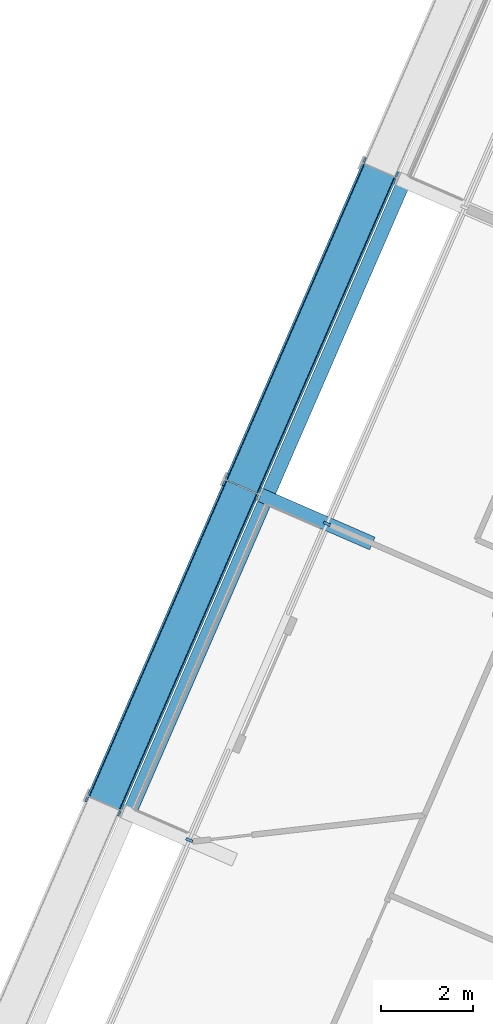
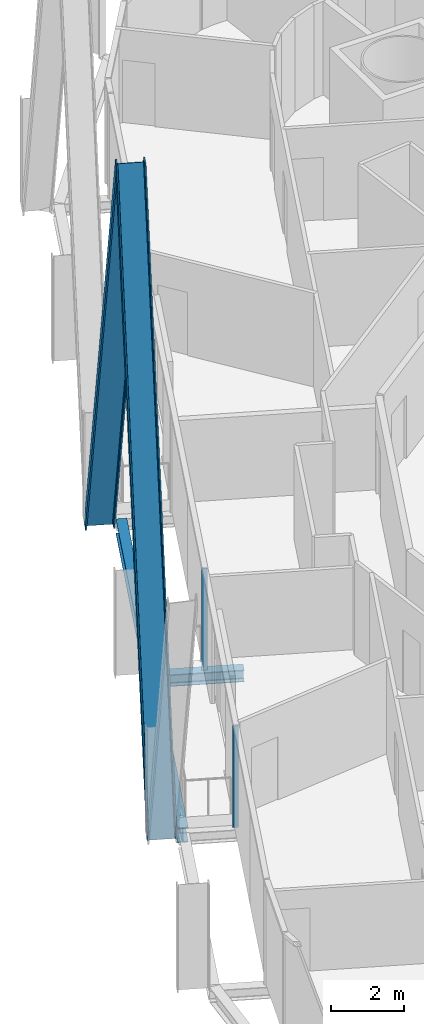
# One storey, part 5 of 23: 4 members, 3 beams, 1 element without a shape of its own.
"""IFC4 building model written with IfcOpenShell, lengths in metres."""

from ifc_helpers import new_model, si_unit, direction, frame, origin, origin_2d, place, context, subcontext, project, spatial, rectangle, i_section, extrude, material, layer, layer_set, material_profile, profile_set, type_object, element, aggregate, save


model = new_model("IFC4")

# Units and contexts
model_context = context("Model", 3, precision=1e-05, world=origin(), true_north=direction((0.0, 1.0)))
body_context = subcontext(model_context, "Body", "Model", "MODEL_VIEW")
ifc_project = project(units=[si_unit("LENGTHUNIT", "METRE"), si_unit("AREAUNIT", "SQUARE_METRE"), si_unit("VOLUMEUNIT", "CUBIC_METRE"), si_unit("PLANEANGLEUNIT", "RADIAN"), si_unit("MASSUNIT", "GRAM", prefix="KILO")], contexts=[model_context])

# Site, building, storey
site_placement = place(None, origin())
site = spatial("IfcSite", under=ifc_project, at=site_placement, CompositionType="ELEMENT")
building_placement = place(site_placement, origin())
building = spatial("IfcBuilding", under=site, at=building_placement, Name="Spindle Arch Residences", CompositionType="ELEMENT")
storey_placement = place(building_placement, frame((0.0, 0.0, 90.699951171875)))
storey = spatial("IfcBuildingStorey", under=building, at=storey_placement, Name="L21", CompositionType="ELEMENT", Elevation=90.699951171875)

# Curtain wall, members
ifc_material_1 = material(Name="Aluminium bronze unitised frame with tinted glass", Category="aluminium")
ifc_layer = layer(ifc_material_1, 0.159912109375)
ifc_layer_set = layer_set([ifc_layer], Name="CW-C typical residential unitised wall")
curtain_wall_type = type_object("IfcCurtainWallType", Name="CW-C typical residential unitised wall", PredefinedType="NOTDEFINED", material=ifc_layer_set)
curtain_wall_placement = place(storey_placement, origin())
curtain_wall = element("IfcCurtainWall", 1, at=curtain_wall_placement, inside=storey, type_object=curtain_wall_type, Name="CW-C L21 run 4", PredefinedType="NOTDEFINED")
ifc_material_2 = material(Name="Aluminium bronze anodised mullion", Category="aluminium")
ifc_material_profile_1 = material_profile(ifc_material_2, rectangle(XDim=0.159912109375, YDim=0.06005859375, at=origin_2d()), Name="MU 60x160")
ifc_profile_set_1 = profile_set([ifc_material_profile_1], Name="Aluminium bronze anodised mullion")
member_type_1 = type_object("IfcMemberType", Name="Bronze mullion 60x160", PredefinedType="MULLION", material=ifc_profile_set_1)
member_1_placement = place(storey_placement, frame((-19.232666015625, 4.26318359375, -0.3798828125), z_axis=(0.0, 0.0, 1.0), x_axis=(0.917060074385, -0.398749068925, 0.0)))
member_1 = element("IfcMember", 2, at=member_1_placement, type_object=member_type_1, Name="CW-C mullion 16", PredefinedType="MULLION", context=body_context, shape_type="SweptSolid", body=[
    extrude(rectangle(XDim=0.159912109375, YDim=0.06005859375, at=origin_2d()), origin(), (0.0, 0.0, 1.0), 3.3798828125),
])
member_2_placement = place(storey_placement, frame((-22.23095703125, -2.632080078125, -0.3798828125), z_axis=(0.0, 0.0, 1.0), x_axis=(0.917060074385, -0.398749068925, 0.0)))
member_2 = element("IfcMember", 3, at=member_2_placement, type_object=member_type_1, Name="CW-C mullion 17", PredefinedType="MULLION", context=body_context, shape_type="SweptSolid", body=[
    extrude(rectangle(XDim=0.159912109375, YDim=0.06005859375, at=origin_2d()), origin(), (0.0, 0.0, 1.0), 3.3798828125),
])
aggregate(curtain_wall, [member_1, member_2])

# Members
ifc_material_3 = material(Name="Steel S460ML, intumescent coating R 240", Category="steel")
ifc_material_profile_2 = material_profile(ifc_material_3, i_section(OverallWidth=0.302978515625, OverallDepth=0.81396484375, WebThickness=0.02099609375, FlangeThickness=0.0400390625, FilletRadius=0.030029296875, at=origin_2d()), Name="HEM 800")
ifc_profile_set_2 = profile_set([ifc_material_profile_2], Name="Steel S460ML, intumescent coating R 240")
member_type_2 = type_object("IfcMemberType", Name="Diagrid diagonal HEM 800", PredefinedType="BRACE", material=ifc_profile_set_2)
for number, where, z_axis, x_axis, name in (
    (4, (-18.087158203125, 11.9638671875, -0.6298828125), (-0.159144975732, -0.366020484495, 0.916897966859), (0.365602047338, 0.840854936723, 0.399121683663), "Diagrid diagonal 2.2.16"),
    (5, (-24.083251953125, -1.826416015625, -0.6298828125), (0.15914573063, 0.366009260949, 0.916902316129), (-0.365614668644, -0.840854191519, 0.399111691983), "Diagrid diagonal 2.2.17"),
):
    element("IfcMember", number, at=place(storey_placement, frame(where, z_axis=z_axis, x_axis=x_axis)), inside=storey, type_object=member_type_2, Name=name, PredefinedType="BRACE", context=body_context, shape_type="SweptSolid", body=[
        extrude(i_section(OverallWidth=0.302978515625, OverallDepth=0.81396484375, WebThickness=0.02099609375, FlangeThickness=0.0400390625, FilletRadius=0.030029296875, at=origin_2d()), origin(), (0.0, 0.0, 1.0), 18.83837890625),
    ])

# Beams
ifc_material_4 = material(Name="Steel S460ML, intumescent coating R 120", Category="steel")
ifc_material_profile_3 = material_profile(ifc_material_4, i_section(OverallWidth=0.300048828125, OverallDepth=0.5, WebThickness=0.014404296875, FlangeThickness=0.028076171875, FilletRadius=0.027099609375, at=origin_2d()), Name="HEB 500")
ifc_profile_set_3 = profile_set([ifc_material_profile_3], Name="Steel S460ML, intumescent coating R 120")
beam_type_1 = type_object("IfcBeamType", Name="Exoskeleton edge beam HEB 500", PredefinedType="BEAM", material=ifc_profile_set_3)
for number, where, z_axis, x_axis, name in (
    (6, (-17.6005859375, 11.610595703125, -0.6298828125), (-0.398760546857, -0.917055083553, 0.0), (0.917055083553, -0.398760546857, 0.0), "Exoskeleton edge beam 16"),
    (7, (-20.5986328125, 4.71533203125, -0.6298828125), (-0.398760546857, -0.917055083553, 0.0), (0.917055083553, -0.398760546857, 0.0), "Exoskeleton edge beam 17"),
):
    element("IfcBeam", number, at=place(storey_placement, frame(where, z_axis=z_axis, x_axis=x_axis)), inside=storey, type_object=beam_type_1, Name=name, PredefinedType="BEAM", context=body_context, shape_type="SweptSolid", body=[
        extrude(i_section(OverallWidth=0.300048828125, OverallDepth=0.5, WebThickness=0.014404296875, FlangeThickness=0.028076171875, FilletRadius=0.027099609375, at=origin_2d()), origin(), (0.0, 0.0, 1.0), 7.2587890625),
    ])
ifc_material_5 = material(Name="Steel S460ML, intumescent coating R 120", Category="steel")
ifc_material_profile_4 = material_profile(ifc_material_5, i_section(OverallWidth=0.300048828125, OverallDepth=0.389892578125, WebThickness=0.010986328125, FlangeThickness=0.01904296875, FilletRadius=0.027099609375, at=origin_2d()), Name="HEA 400")
ifc_profile_set_4 = profile_set([ifc_material_profile_4], Name="Steel S460ML, intumescent coating R 120")
beam_type_2 = type_object("IfcBeamType", Name="Floor outrigger HEA 400", PredefinedType="BEAM", material=ifc_profile_set_4)
beam_placement = place(storey_placement, frame((-20.672607421875, 4.889404296875, -0.574951171875), z_axis=(0.917045157424, -0.398783373831, 0.0), x_axis=(0.398783373831, 0.917045157424, 0.0)))
element("IfcBeam", 8, at=beam_placement, inside=storey, type_object=beam_type_2, Name="Floor outrigger 17", PredefinedType="BEAM", context=body_context, shape_type="SweptSolid", body=[
    extrude(i_section(OverallWidth=0.300048828125, OverallDepth=0.389892578125, WebThickness=0.010986328125, FlangeThickness=0.01904296875, FilletRadius=0.027099609375, at=origin_2d()), origin(), (0.0, 0.0, 1.0), 2.650390625),
])

save(model, "model.ifc")
